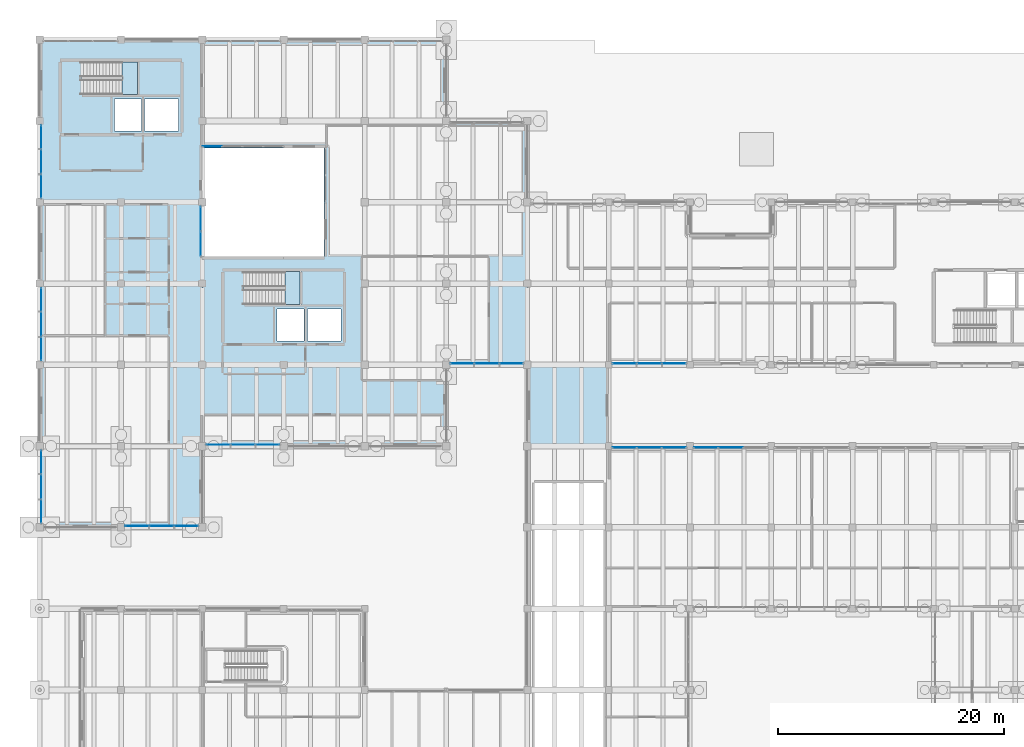
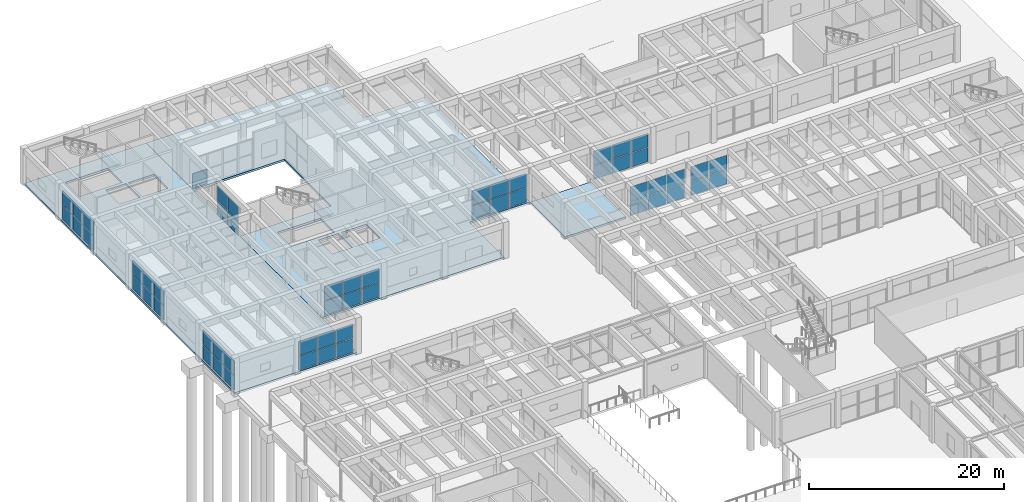
# One storey, part 113 of 155: 57 plates, 5 slabs, 13 elements without a shape of their own.
"""IFC4 building model written with IfcOpenShell, lengths in metres."""

from ifc_helpers import new_model, si_unit, direction, frame, origin, origin_2d, place, context, subcontext, project, spatial, polyline, rectangle, outline, extrude, material, layer, layer_set, type_object, element, aggregate, save


model = new_model("IFC4")

# Units and contexts
model_context = context("Model", 3, precision=1e-05, world=origin(), true_north=direction((0.0, 1.0)))
body_context = subcontext(model_context, "Body", "Model", "MODEL_VIEW")
ifc_project = project(units=[si_unit("LENGTHUNIT", "METRE"), si_unit("AREAUNIT", "SQUARE_METRE"), si_unit("VOLUMEUNIT", "CUBIC_METRE"), si_unit("PLANEANGLEUNIT", "RADIAN"), si_unit("MASSUNIT", "GRAM", prefix="KILO")], contexts=[model_context])

# Site, building, storey
site_placement = place(None, origin())
site = spatial("IfcSite", under=ifc_project, at=site_placement, CompositionType="ELEMENT")
building_placement = place(site_placement, origin())
building = spatial("IfcBuilding", under=site, at=building_placement, Name="Bramvelor Terrace Health Centre", CompositionType="ELEMENT")
storey_placement = place(building_placement, origin())
storey = spatial("IfcBuildingStorey", under=building, at=storey_placement, Name="L01", CompositionType="ELEMENT", Elevation=0.0)

# Curtain wall, plates
ifc_material_1 = material(Name="Anodized aluminium and double low-E glass", Category="aluminium")
curtain_wall_type_1 = type_object("IfcCurtainWallType", Name="CW-SYS-02", PredefinedType="NOTDEFINED", material=ifc_material_1)
curtain_wall_1_placement = place(storey_placement, origin())
curtain_wall_1 = element("IfcCurtainWall", 1, at=curtain_wall_1_placement, inside=storey, type_object=curtain_wall_type_1, Name="L01 Unitized Curtain Wall 12", PredefinedType="NOTDEFINED")
ifc_material_2 = material(Name="Double low-E laminated glass", Category="glass")
ifc_layer_1 = layer(ifc_material_2, 0.028076171875)
ifc_layer_set_1 = layer_set([ifc_layer_1], Name="Double low-E laminated glass")
plate_type = type_object("IfcPlateType", Name="CW-PNL-GLZ28", PredefinedType="CURTAIN_PANEL", material=ifc_layer_set_1)
plate_1_placement = place(storey_placement, frame((41.767822265625, 86.530029296875, 0.06494140625), z_axis=(0.0, 0.0, 1.0), x_axis=(-1.0, 0.0, 0.0)))
plate_1 = element("IfcPlate", 2, at=plate_1_placement, type_object=plate_type, Name="CW-02 panel 1.1", PredefinedType="CURTAIN_PANEL", context=body_context, shape_type="SweptSolid", body=[
    extrude(rectangle(XDim=2.07421875, YDim=0.028076171875, at=origin_2d()), origin(), (0.0, 0.0, 1.0), 1.762451171875),
])
plate_2_placement = place(storey_placement, frame((41.767822265625, 86.530029296875, 1.892578125), z_axis=(0.0, 0.0, 1.0), x_axis=(-1.0, 0.0, 0.0)))
plate_2 = element("IfcPlate", 3, at=plate_2_placement, type_object=plate_type, Name="CW-02 panel 1.2", PredefinedType="CURTAIN_PANEL", context=body_context, shape_type="SweptSolid", body=[
    extrude(rectangle(XDim=2.07421875, YDim=0.028076171875, at=origin_2d()), origin(), (0.0, 0.0, 1.0), 1.762451171875),
])
plate_3_placement = place(storey_placement, frame((39.60009765625, 86.530029296875, 0.06494140625), z_axis=(0.0, 0.0, 1.0), x_axis=(-1.0, 0.0, 0.0)))
plate_3 = element("IfcPlate", 4, at=plate_3_placement, type_object=plate_type, Name="CW-02 panel 2.1", PredefinedType="CURTAIN_PANEL", context=body_context, shape_type="SweptSolid", body=[
    extrude(rectangle(XDim=2.111572265625, YDim=0.028076171875, at=origin_2d()), origin(), (0.0, 0.0, 1.0), 1.762451171875),
])
plate_4_placement = place(storey_placement, frame((39.60009765625, 86.530029296875, 1.892578125), z_axis=(0.0, 0.0, 1.0), x_axis=(-1.0, 0.0, 0.0)))
plate_4 = element("IfcPlate", 5, at=plate_4_placement, type_object=plate_type, Name="CW-02 panel 2.2", PredefinedType="CURTAIN_PANEL", context=body_context, shape_type="SweptSolid", body=[
    extrude(rectangle(XDim=2.111572265625, YDim=0.028076171875, at=origin_2d()), origin(), (0.0, 0.0, 1.0), 1.762451171875),
])
plate_5_placement = place(storey_placement, frame((37.43212890625, 86.530029296875, 0.06494140625), z_axis=(0.0, 0.0, 1.0), x_axis=(-1.0, 0.0, 0.0)))
plate_5 = element("IfcPlate", 6, at=plate_5_placement, type_object=plate_type, Name="CW-02 panel 3.1", PredefinedType="CURTAIN_PANEL", context=body_context, shape_type="SweptSolid", body=[
    extrude(rectangle(XDim=2.07421875, YDim=0.028076171875, at=origin_2d()), origin(), (0.0, 0.0, 1.0), 1.762451171875),
])
plate_6_placement = place(storey_placement, frame((37.43212890625, 86.530029296875, 1.892578125), z_axis=(0.0, 0.0, 1.0), x_axis=(-1.0, 0.0, 0.0)))
plate_6 = element("IfcPlate", 7, at=plate_6_placement, type_object=plate_type, Name="CW-02 panel 3.2", PredefinedType="CURTAIN_PANEL", context=body_context, shape_type="SweptSolid", body=[
    extrude(rectangle(XDim=2.07421875, YDim=0.028076171875, at=origin_2d()), origin(), (0.0, 0.0, 1.0), 1.762451171875),
])
aggregate(curtain_wall_1, [plate_1, plate_2, plate_3, plate_4, plate_5, plate_6])

curtain_wall_2_placement = place(storey_placement, origin())
curtain_wall_2 = element("IfcCurtainWall", 8, at=curtain_wall_2_placement, inside=storey, type_object=curtain_wall_type_1, Name="L01 Unitized Curtain Wall 13", PredefinedType="NOTDEFINED")
plate_7_placement = place(storey_placement, frame((20.16796875, 79.330078125, 0.06494140625), z_axis=(0.0, 0.0, 1.0), x_axis=(-1.0, 0.0, 0.0)))
plate_7 = element("IfcPlate", 9, at=plate_7_placement, type_object=plate_type, Name="CW-02 panel 1.1", PredefinedType="CURTAIN_PANEL", context=body_context, shape_type="SweptSolid", body=[
    extrude(rectangle(XDim=2.07421875, YDim=0.028076171875, at=origin_2d()), origin(), (0.0, 0.0, 1.0), 1.762451171875),
])
plate_8_placement = place(storey_placement, frame((20.16796875, 79.330078125, 1.892578125), z_axis=(0.0, 0.0, 1.0), x_axis=(-1.0, 0.0, 0.0)))
plate_8 = element("IfcPlate", 10, at=plate_8_placement, type_object=plate_type, Name="CW-02 panel 1.2", PredefinedType="CURTAIN_PANEL", context=body_context, shape_type="SweptSolid", body=[
    extrude(rectangle(XDim=2.07421875, YDim=0.028076171875, at=origin_2d()), origin(), (0.0, 0.0, 1.0), 1.762451171875),
])
plate_9_placement = place(storey_placement, frame((18.0, 79.330078125, 0.06494140625), z_axis=(0.0, 0.0, 1.0), x_axis=(-1.0, 0.0, 0.0)))
plate_9 = element("IfcPlate", 11, at=plate_9_placement, type_object=plate_type, Name="CW-02 panel 2.1", PredefinedType="CURTAIN_PANEL", context=body_context, shape_type="SweptSolid", body=[
    extrude(rectangle(XDim=2.111572265625, YDim=0.028076171875, at=origin_2d()), origin(), (0.0, 0.0, 1.0), 1.762451171875),
])
plate_10_placement = place(storey_placement, frame((18.0, 79.330078125, 1.892578125), z_axis=(0.0, 0.0, 1.0), x_axis=(-1.0, 0.0, 0.0)))
plate_10 = element("IfcPlate", 12, at=plate_10_placement, type_object=plate_type, Name="CW-02 panel 2.2", PredefinedType="CURTAIN_PANEL", context=body_context, shape_type="SweptSolid", body=[
    extrude(rectangle(XDim=2.111572265625, YDim=0.028076171875, at=origin_2d()), origin(), (0.0, 0.0, 1.0), 1.762451171875),
])
plate_11_placement = place(storey_placement, frame((15.83203125, 79.330078125, 0.06494140625), z_axis=(0.0, 0.0, 1.0), x_axis=(-1.0, 0.0, 0.0)))
plate_11 = element("IfcPlate", 13, at=plate_11_placement, type_object=plate_type, Name="CW-02 panel 3.1", PredefinedType="CURTAIN_PANEL", context=body_context, shape_type="SweptSolid", body=[
    extrude(rectangle(XDim=2.07421875, YDim=0.028076171875, at=origin_2d()), origin(), (0.0, 0.0, 1.0), 1.762451171875),
])
plate_12_placement = place(storey_placement, frame((15.83203125, 79.330078125, 1.892578125), z_axis=(0.0, 0.0, 1.0), x_axis=(-1.0, 0.0, 0.0)))
plate_12 = element("IfcPlate", 14, at=plate_12_placement, type_object=plate_type, Name="CW-02 panel 3.2", PredefinedType="CURTAIN_PANEL", context=body_context, shape_type="SweptSolid", body=[
    extrude(rectangle(XDim=2.07421875, YDim=0.028076171875, at=origin_2d()), origin(), (0.0, 0.0, 1.0), 1.762451171875),
])
aggregate(curtain_wall_2, [plate_7, plate_8, plate_9, plate_10, plate_11, plate_12])

curtain_wall_3_placement = place(storey_placement, origin())
curtain_wall_3 = element("IfcCurtainWall", 15, at=curtain_wall_3_placement, inside=storey, type_object=curtain_wall_type_1, Name="L01 Unitized Curtain Wall 14", PredefinedType="NOTDEFINED")
plate_13_placement = place(storey_placement, frame((12.968017578125, 72.1298828125, 0.06494140625), z_axis=(0.0, 0.0, 1.0), x_axis=(-1.0, 0.0, 0.0)))
plate_13 = element("IfcPlate", 16, at=plate_13_placement, type_object=plate_type, Name="CW-02 panel 1.1", PredefinedType="CURTAIN_PANEL", context=body_context, shape_type="SweptSolid", body=[
    extrude(rectangle(XDim=2.07421875, YDim=0.028076171875, at=origin_2d()), origin(), (0.0, 0.0, 1.0), 1.762451171875),
])
plate_14_placement = place(storey_placement, frame((12.968017578125, 72.1298828125, 1.892578125), z_axis=(0.0, 0.0, 1.0), x_axis=(-1.0, 0.0, 0.0)))
plate_14 = element("IfcPlate", 17, at=plate_14_placement, type_object=plate_type, Name="CW-02 panel 1.2", PredefinedType="CURTAIN_PANEL", context=body_context, shape_type="SweptSolid", body=[
    extrude(rectangle(XDim=2.07421875, YDim=0.028076171875, at=origin_2d()), origin(), (0.0, 0.0, 1.0), 1.762451171875),
])
plate_15_placement = place(storey_placement, frame((10.800048828125, 72.1298828125, 0.06494140625), z_axis=(0.0, 0.0, 1.0), x_axis=(-1.0, 0.0, 0.0)))
plate_15 = element("IfcPlate", 18, at=plate_15_placement, type_object=plate_type, Name="CW-02 panel 2.1", PredefinedType="CURTAIN_PANEL", context=body_context, shape_type="SweptSolid", body=[
    extrude(rectangle(XDim=2.111572265625, YDim=0.028076171875, at=origin_2d()), origin(), (0.0, 0.0, 1.0), 1.762451171875),
])
plate_16_placement = place(storey_placement, frame((10.800048828125, 72.1298828125, 1.892578125), z_axis=(0.0, 0.0, 1.0), x_axis=(-1.0, 0.0, 0.0)))
plate_16 = element("IfcPlate", 19, at=plate_16_placement, type_object=plate_type, Name="CW-02 panel 2.2", PredefinedType="CURTAIN_PANEL", context=body_context, shape_type="SweptSolid", body=[
    extrude(rectangle(XDim=2.111572265625, YDim=0.028076171875, at=origin_2d()), origin(), (0.0, 0.0, 1.0), 1.762451171875),
])
plate_17_placement = place(storey_placement, frame((8.632080078125, 72.1298828125, 0.06494140625), z_axis=(0.0, 0.0, 1.0), x_axis=(-1.0, 0.0, 0.0)))
plate_17 = element("IfcPlate", 20, at=plate_17_placement, type_object=plate_type, Name="CW-02 panel 3.1", PredefinedType="CURTAIN_PANEL", context=body_context, shape_type="SweptSolid", body=[
    extrude(rectangle(XDim=2.07421875, YDim=0.028076171875, at=origin_2d()), origin(), (0.0, 0.0, 1.0), 1.762451171875),
])
plate_18_placement = place(storey_placement, frame((8.632080078125, 72.1298828125, 1.892578125), z_axis=(0.0, 0.0, 1.0), x_axis=(-1.0, 0.0, 0.0)))
plate_18 = element("IfcPlate", 21, at=plate_18_placement, type_object=plate_type, Name="CW-02 panel 3.2", PredefinedType="CURTAIN_PANEL", context=body_context, shape_type="SweptSolid", body=[
    extrude(rectangle(XDim=2.07421875, YDim=0.028076171875, at=origin_2d()), origin(), (0.0, 0.0, 1.0), 1.762451171875),
])
aggregate(curtain_wall_3, [plate_13, plate_14, plate_15, plate_16, plate_17, plate_18])

curtain_wall_4_placement = place(storey_placement, origin())
curtain_wall_4 = element("IfcCurtainWall", 22, at=curtain_wall_4_placement, inside=storey, type_object=curtain_wall_type_1, Name="L01 Unitized Curtain Wall 15", PredefinedType="NOTDEFINED")
plate_19_placement = place(storey_placement, frame((0.1298828125, 73.43212890625, 0.06494140625), z_axis=(0.0, 0.0, 1.0), x_axis=(0.0, 1.0, 0.0)))
plate_19 = element("IfcPlate", 23, at=plate_19_placement, type_object=plate_type, Name="CW-02 panel 1.1", PredefinedType="CURTAIN_PANEL", context=body_context, shape_type="SweptSolid", body=[
    extrude(rectangle(XDim=2.07421875, YDim=0.028076171875, at=origin_2d()), origin(), (0.0, 0.0, 1.0), 1.762451171875),
])
plate_20_placement = place(storey_placement, frame((0.1298828125, 73.43212890625, 1.892578125), z_axis=(0.0, 0.0, 1.0), x_axis=(0.0, 1.0, 0.0)))
plate_20 = element("IfcPlate", 24, at=plate_20_placement, type_object=plate_type, Name="CW-02 panel 1.2", PredefinedType="CURTAIN_PANEL", context=body_context, shape_type="SweptSolid", body=[
    extrude(rectangle(XDim=2.07421875, YDim=0.028076171875, at=origin_2d()), origin(), (0.0, 0.0, 1.0), 1.762451171875),
])
plate_21_placement = place(storey_placement, frame((0.1298828125, 75.60009765625, 0.06494140625), z_axis=(0.0, 0.0, 1.0), x_axis=(0.0, 1.0, 0.0)))
plate_21 = element("IfcPlate", 25, at=plate_21_placement, type_object=plate_type, Name="CW-02 panel 2.1", PredefinedType="CURTAIN_PANEL", context=body_context, shape_type="SweptSolid", body=[
    extrude(rectangle(XDim=2.111572265625, YDim=0.028076171875, at=origin_2d()), origin(), (0.0, 0.0, 1.0), 1.762451171875),
])
plate_22_placement = place(storey_placement, frame((0.1298828125, 75.60009765625, 1.892578125), z_axis=(0.0, 0.0, 1.0), x_axis=(0.0, 1.0, 0.0)))
plate_22 = element("IfcPlate", 26, at=plate_22_placement, type_object=plate_type, Name="CW-02 panel 2.2", PredefinedType="CURTAIN_PANEL", context=body_context, shape_type="SweptSolid", body=[
    extrude(rectangle(XDim=2.111572265625, YDim=0.028076171875, at=origin_2d()), origin(), (0.0, 0.0, 1.0), 1.762451171875),
])
plate_23_placement = place(storey_placement, frame((0.1298828125, 77.767822265625, 0.06494140625), z_axis=(0.0, 0.0, 1.0), x_axis=(0.0, 1.0, 0.0)))
plate_23 = element("IfcPlate", 27, at=plate_23_placement, type_object=plate_type, Name="CW-02 panel 3.1", PredefinedType="CURTAIN_PANEL", context=body_context, shape_type="SweptSolid", body=[
    extrude(rectangle(XDim=2.07421875, YDim=0.028076171875, at=origin_2d()), origin(), (0.0, 0.0, 1.0), 1.762451171875),
])
plate_24_placement = place(storey_placement, frame((0.1298828125, 77.767822265625, 1.892578125), z_axis=(0.0, 0.0, 1.0), x_axis=(0.0, 1.0, 0.0)))
plate_24 = element("IfcPlate", 28, at=plate_24_placement, type_object=plate_type, Name="CW-02 panel 3.2", PredefinedType="CURTAIN_PANEL", context=body_context, shape_type="SweptSolid", body=[
    extrude(rectangle(XDim=2.07421875, YDim=0.028076171875, at=origin_2d()), origin(), (0.0, 0.0, 1.0), 1.762451171875),
])
aggregate(curtain_wall_4, [plate_19, plate_20, plate_21, plate_22, plate_23, plate_24])

curtain_wall_5_placement = place(storey_placement, origin())
curtain_wall_5 = element("IfcCurtainWall", 29, at=curtain_wall_5_placement, inside=storey, type_object=curtain_wall_type_1, Name="L01 Unitized Curtain Wall 16", PredefinedType="NOTDEFINED")
plate_25_placement = place(storey_placement, frame((0.1298828125, 87.83203125, 0.06494140625), z_axis=(0.0, 0.0, 1.0), x_axis=(0.0, 1.0, 0.0)))
plate_25 = element("IfcPlate", 30, at=plate_25_placement, type_object=plate_type, Name="CW-02 panel 1.1", PredefinedType="CURTAIN_PANEL", context=body_context, shape_type="SweptSolid", body=[
    extrude(rectangle(XDim=2.07421875, YDim=0.028076171875, at=origin_2d()), origin(), (0.0, 0.0, 1.0), 1.762451171875),
])
plate_26_placement = place(storey_placement, frame((0.1298828125, 87.83203125, 1.892578125), z_axis=(0.0, 0.0, 1.0), x_axis=(0.0, 1.0, 0.0)))
plate_26 = element("IfcPlate", 31, at=plate_26_placement, type_object=plate_type, Name="CW-02 panel 1.2", PredefinedType="CURTAIN_PANEL", context=body_context, shape_type="SweptSolid", body=[
    extrude(rectangle(XDim=2.07421875, YDim=0.028076171875, at=origin_2d()), origin(), (0.0, 0.0, 1.0), 1.762451171875),
])
plate_27_placement = place(storey_placement, frame((0.1298828125, 90.0, 0.06494140625), z_axis=(0.0, 0.0, 1.0), x_axis=(0.0, 1.0, 0.0)))
plate_27 = element("IfcPlate", 32, at=plate_27_placement, type_object=plate_type, Name="CW-02 panel 2.1", PredefinedType="CURTAIN_PANEL", context=body_context, shape_type="SweptSolid", body=[
    extrude(rectangle(XDim=2.111572265625, YDim=0.028076171875, at=origin_2d()), origin(), (0.0, 0.0, 1.0), 1.762451171875),
])
plate_28_placement = place(storey_placement, frame((0.1298828125, 90.0, 1.892578125), z_axis=(0.0, 0.0, 1.0), x_axis=(0.0, 1.0, 0.0)))
plate_28 = element("IfcPlate", 33, at=plate_28_placement, type_object=plate_type, Name="CW-02 panel 2.2", PredefinedType="CURTAIN_PANEL", context=body_context, shape_type="SweptSolid", body=[
    extrude(rectangle(XDim=2.111572265625, YDim=0.028076171875, at=origin_2d()), origin(), (0.0, 0.0, 1.0), 1.762451171875),
])
plate_29_placement = place(storey_placement, frame((0.1298828125, 92.16796875, 0.06494140625), z_axis=(0.0, 0.0, 1.0), x_axis=(0.0, 1.0, 0.0)))
plate_29 = element("IfcPlate", 34, at=plate_29_placement, type_object=plate_type, Name="CW-02 panel 3.1", PredefinedType="CURTAIN_PANEL", context=body_context, shape_type="SweptSolid", body=[
    extrude(rectangle(XDim=2.07421875, YDim=0.028076171875, at=origin_2d()), origin(), (0.0, 0.0, 1.0), 1.762451171875),
])
plate_30_placement = place(storey_placement, frame((0.1298828125, 92.16796875, 1.892578125), z_axis=(0.0, 0.0, 1.0), x_axis=(0.0, 1.0, 0.0)))
plate_30 = element("IfcPlate", 35, at=plate_30_placement, type_object=plate_type, Name="CW-02 panel 3.2", PredefinedType="CURTAIN_PANEL", context=body_context, shape_type="SweptSolid", body=[
    extrude(rectangle(XDim=2.07421875, YDim=0.028076171875, at=origin_2d()), origin(), (0.0, 0.0, 1.0), 1.762451171875),
])
aggregate(curtain_wall_5, [plate_25, plate_26, plate_27, plate_28, plate_29, plate_30])

curtain_wall_6_placement = place(storey_placement, origin())
curtain_wall_6 = element("IfcCurtainWall", 36, at=curtain_wall_6_placement, inside=storey, type_object=curtain_wall_type_1, Name="L01 Unitized Curtain Wall 17", PredefinedType="NOTDEFINED")
plate_31_placement = place(storey_placement, frame((0.1298828125, 102.232177734375, 0.06494140625), z_axis=(0.0, 0.0, 1.0), x_axis=(0.0, 1.0, 0.0)))
plate_31 = element("IfcPlate", 37, at=plate_31_placement, type_object=plate_type, Name="CW-02 panel 1.1", PredefinedType="CURTAIN_PANEL", context=body_context, shape_type="SweptSolid", body=[
    extrude(rectangle(XDim=2.07421875, YDim=0.028076171875, at=origin_2d()), origin(), (0.0, 0.0, 1.0), 1.762451171875),
])
plate_32_placement = place(storey_placement, frame((0.1298828125, 102.232177734375, 1.892578125), z_axis=(0.0, 0.0, 1.0), x_axis=(0.0, 1.0, 0.0)))
plate_32 = element("IfcPlate", 38, at=plate_32_placement, type_object=plate_type, Name="CW-02 panel 1.2", PredefinedType="CURTAIN_PANEL", context=body_context, shape_type="SweptSolid", body=[
    extrude(rectangle(XDim=2.07421875, YDim=0.028076171875, at=origin_2d()), origin(), (0.0, 0.0, 1.0), 1.762451171875),
])
plate_33_placement = place(storey_placement, frame((0.1298828125, 104.39990234375, 0.06494140625), z_axis=(0.0, 0.0, 1.0), x_axis=(0.0, 1.0, 0.0)))
plate_33 = element("IfcPlate", 39, at=plate_33_placement, type_object=plate_type, Name="CW-02 panel 2.1", PredefinedType="CURTAIN_PANEL", context=body_context, shape_type="SweptSolid", body=[
    extrude(rectangle(XDim=2.111572265625, YDim=0.028076171875, at=origin_2d()), origin(), (0.0, 0.0, 1.0), 1.762451171875),
])
plate_34_placement = place(storey_placement, frame((0.1298828125, 104.39990234375, 1.892578125), z_axis=(0.0, 0.0, 1.0), x_axis=(0.0, 1.0, 0.0)))
plate_34 = element("IfcPlate", 40, at=plate_34_placement, type_object=plate_type, Name="CW-02 panel 2.2", PredefinedType="CURTAIN_PANEL", context=body_context, shape_type="SweptSolid", body=[
    extrude(rectangle(XDim=2.111572265625, YDim=0.028076171875, at=origin_2d()), origin(), (0.0, 0.0, 1.0), 1.762451171875),
])
plate_35_placement = place(storey_placement, frame((0.1298828125, 106.56787109375, 0.06494140625), z_axis=(0.0, 0.0, 1.0), x_axis=(0.0, 1.0, 0.0)))
plate_35 = element("IfcPlate", 41, at=plate_35_placement, type_object=plate_type, Name="CW-02 panel 3.1", PredefinedType="CURTAIN_PANEL", context=body_context, shape_type="SweptSolid", body=[
    extrude(rectangle(XDim=2.07421875, YDim=0.028076171875, at=origin_2d()), origin(), (0.0, 0.0, 1.0), 1.762451171875),
])
plate_36_placement = place(storey_placement, frame((0.1298828125, 106.56787109375, 1.892578125), z_axis=(0.0, 0.0, 1.0), x_axis=(0.0, 1.0, 0.0)))
plate_36 = element("IfcPlate", 42, at=plate_36_placement, type_object=plate_type, Name="CW-02 panel 3.2", PredefinedType="CURTAIN_PANEL", context=body_context, shape_type="SweptSolid", body=[
    extrude(rectangle(XDim=2.07421875, YDim=0.028076171875, at=origin_2d()), origin(), (0.0, 0.0, 1.0), 1.762451171875),
])
aggregate(curtain_wall_6, [plate_31, plate_32, plate_33, plate_34, plate_35, plate_36])

curtain_wall_7_placement = place(storey_placement, origin())
curtain_wall_7 = element("IfcCurtainWall", 43, at=curtain_wall_7_placement, inside=storey, type_object=curtain_wall_type_1, Name="L01 Unitized Curtain Wall 28", PredefinedType="NOTDEFINED")
plate_37_placement = place(storey_placement, frame((56.1845703125, 86.530029296875, 0.06494140625), z_axis=(0.0, 0.0, 1.0), x_axis=(-1.0, 0.0, 0.0)))
plate_37 = element("IfcPlate", 44, at=plate_37_placement, type_object=plate_type, Name="CW-02 panel 1.1", PredefinedType="CURTAIN_PANEL", context=body_context, shape_type="SweptSolid", body=[
    extrude(rectangle(XDim=2.0908203125, YDim=0.028076171875, at=origin_2d()), origin(), (0.0, 0.0, 1.0), 1.74755859375),
])
plate_38_placement = place(storey_placement, frame((56.1845703125, 86.530029296875, 1.87744140625), z_axis=(0.0, 0.0, 1.0), x_axis=(-1.0, 0.0, 0.0)))
plate_38 = element("IfcPlate", 45, at=plate_38_placement, type_object=plate_type, Name="CW-02 panel 1.2", PredefinedType="CURTAIN_PANEL", context=body_context, shape_type="SweptSolid", body=[
    extrude(rectangle(XDim=2.0908203125, YDim=0.028076171875, at=origin_2d()), origin(), (0.0, 0.0, 1.0), 1.74755859375),
])
plate_39_placement = place(storey_placement, frame((54.0, 86.530029296875, 0.06494140625), z_axis=(0.0, 0.0, 1.0), x_axis=(-1.0, 0.0, 0.0)))
plate_39 = element("IfcPlate", 46, at=plate_39_placement, type_object=plate_type, Name="CW-02 panel 2.1", PredefinedType="CURTAIN_PANEL", context=body_context, shape_type="SweptSolid", body=[
    extrude(rectangle(XDim=2.12841796875, YDim=0.028076171875, at=origin_2d()), origin(), (0.0, 0.0, 1.0), 1.74755859375),
])
plate_40_placement = place(storey_placement, frame((54.0, 86.530029296875, 1.87744140625), z_axis=(0.0, 0.0, 1.0), x_axis=(-1.0, 0.0, 0.0)))
plate_40 = element("IfcPlate", 47, at=plate_40_placement, type_object=plate_type, Name="CW-02 panel 2.2", PredefinedType="CURTAIN_PANEL", context=body_context, shape_type="SweptSolid", body=[
    extrude(rectangle(XDim=2.12841796875, YDim=0.028076171875, at=origin_2d()), origin(), (0.0, 0.0, 1.0), 1.74755859375),
])
plate_41_placement = place(storey_placement, frame((51.8154296875, 86.530029296875, 0.06494140625), z_axis=(0.0, 0.0, 1.0), x_axis=(-1.0, 0.0, 0.0)))
plate_41 = element("IfcPlate", 48, at=plate_41_placement, type_object=plate_type, Name="CW-02 panel 3.1", PredefinedType="CURTAIN_PANEL", context=body_context, shape_type="SweptSolid", body=[
    extrude(rectangle(XDim=2.0908203125, YDim=0.028076171875, at=origin_2d()), origin(), (0.0, 0.0, 1.0), 1.74755859375),
])
plate_42_placement = place(storey_placement, frame((51.8154296875, 86.530029296875, 1.87744140625), z_axis=(0.0, 0.0, 1.0), x_axis=(-1.0, 0.0, 0.0)))
plate_42 = element("IfcPlate", 49, at=plate_42_placement, type_object=plate_type, Name="CW-02 panel 3.2", PredefinedType="CURTAIN_PANEL", context=body_context, shape_type="SweptSolid", body=[
    extrude(rectangle(XDim=2.0908203125, YDim=0.028076171875, at=origin_2d()), origin(), (0.0, 0.0, 1.0), 1.74755859375),
])
aggregate(curtain_wall_7, [plate_37, plate_38, plate_39, plate_40, plate_41, plate_42])

curtain_wall_8_placement = place(storey_placement, origin())
curtain_wall_8 = element("IfcCurtainWall", 50, at=curtain_wall_8_placement, inside=storey, type_object=curtain_wall_type_1, Name="L01 Unitized Curtain Wall 29", PredefinedType="NOTDEFINED")
plate_43_placement = place(storey_placement, frame((51.8154296875, 79.070068359375, 0.06494140625), z_axis=(0.0, 0.0, 1.0), x_axis=(1.0, 0.0, 0.0)))
plate_43 = element("IfcPlate", 51, at=plate_43_placement, type_object=plate_type, Name="CW-02 panel 1.1", PredefinedType="CURTAIN_PANEL", context=body_context, shape_type="SweptSolid", body=[
    extrude(rectangle(XDim=2.0908203125, YDim=0.028076171875, at=origin_2d()), origin(), (0.0, 0.0, 1.0), 1.762451171875),
])
plate_44_placement = place(storey_placement, frame((51.8154296875, 79.070068359375, 1.892578125), z_axis=(0.0, 0.0, 1.0), x_axis=(1.0, 0.0, 0.0)))
plate_44 = element("IfcPlate", 52, at=plate_44_placement, type_object=plate_type, Name="CW-02 panel 1.2", PredefinedType="CURTAIN_PANEL", context=body_context, shape_type="SweptSolid", body=[
    extrude(rectangle(XDim=2.0908203125, YDim=0.028076171875, at=origin_2d()), origin(), (0.0, 0.0, 1.0), 1.762451171875),
])
plate_45_placement = place(storey_placement, frame((54.0, 79.070068359375, 0.06494140625), z_axis=(0.0, 0.0, 1.0), x_axis=(1.0, 0.0, 0.0)))
plate_45 = element("IfcPlate", 53, at=plate_45_placement, type_object=plate_type, Name="CW-02 panel 2.1", PredefinedType="CURTAIN_PANEL", context=body_context, shape_type="SweptSolid", body=[
    extrude(rectangle(XDim=2.12841796875, YDim=0.028076171875, at=origin_2d()), origin(), (0.0, 0.0, 1.0), 1.762451171875),
])
plate_46_placement = place(storey_placement, frame((54.0, 79.070068359375, 1.892578125), z_axis=(0.0, 0.0, 1.0), x_axis=(1.0, 0.0, 0.0)))
plate_46 = element("IfcPlate", 54, at=plate_46_placement, type_object=plate_type, Name="CW-02 panel 2.2", PredefinedType="CURTAIN_PANEL", context=body_context, shape_type="SweptSolid", body=[
    extrude(rectangle(XDim=2.12841796875, YDim=0.028076171875, at=origin_2d()), origin(), (0.0, 0.0, 1.0), 1.762451171875),
])
plate_47_placement = place(storey_placement, frame((56.1845703125, 79.070068359375, 0.06494140625), z_axis=(0.0, 0.0, 1.0), x_axis=(1.0, 0.0, 0.0)))
plate_47 = element("IfcPlate", 55, at=plate_47_placement, type_object=plate_type, Name="CW-02 panel 3.1", PredefinedType="CURTAIN_PANEL", context=body_context, shape_type="SweptSolid", body=[
    extrude(rectangle(XDim=2.0908203125, YDim=0.028076171875, at=origin_2d()), origin(), (0.0, 0.0, 1.0), 1.762451171875),
])
plate_48_placement = place(storey_placement, frame((56.1845703125, 79.070068359375, 1.892578125), z_axis=(0.0, 0.0, 1.0), x_axis=(1.0, 0.0, 0.0)))
plate_48 = element("IfcPlate", 56, at=plate_48_placement, type_object=plate_type, Name="CW-02 panel 3.2", PredefinedType="CURTAIN_PANEL", context=body_context, shape_type="SweptSolid", body=[
    extrude(rectangle(XDim=2.0908203125, YDim=0.028076171875, at=origin_2d()), origin(), (0.0, 0.0, 1.0), 1.762451171875),
])
aggregate(curtain_wall_8, [plate_43, plate_44, plate_45, plate_46, plate_47, plate_48])

curtain_wall_9_placement = place(storey_placement, origin())
curtain_wall_9 = element("IfcCurtainWall", 57, at=curtain_wall_9_placement, inside=storey, type_object=curtain_wall_type_1, Name="L01 Unitized Curtain Wall 30", PredefinedType="NOTDEFINED")
plate_49_placement = place(storey_placement, frame((59.015380859375, 79.070068359375, 0.06494140625), z_axis=(0.0, 0.0, 1.0), x_axis=(1.0, 0.0, 0.0)))
plate_49 = element("IfcPlate", 58, at=plate_49_placement, type_object=plate_type, Name="CW-02 panel 1.1", PredefinedType="CURTAIN_PANEL", context=body_context, shape_type="SweptSolid", body=[
    extrude(rectangle(XDim=2.0908203125, YDim=0.028076171875, at=origin_2d()), origin(), (0.0, 0.0, 1.0), 1.762451171875),
])
plate_50_placement = place(storey_placement, frame((59.015380859375, 79.070068359375, 1.892578125), z_axis=(0.0, 0.0, 1.0), x_axis=(1.0, 0.0, 0.0)))
plate_50 = element("IfcPlate", 59, at=plate_50_placement, type_object=plate_type, Name="CW-02 panel 1.2", PredefinedType="CURTAIN_PANEL", context=body_context, shape_type="SweptSolid", body=[
    extrude(rectangle(XDim=2.0908203125, YDim=0.028076171875, at=origin_2d()), origin(), (0.0, 0.0, 1.0), 1.762451171875),
])
plate_51_placement = place(storey_placement, frame((61.199951171875, 79.070068359375, 0.06494140625), z_axis=(0.0, 0.0, 1.0), x_axis=(1.0, 0.0, 0.0)))
plate_51 = element("IfcPlate", 60, at=plate_51_placement, type_object=plate_type, Name="CW-02 panel 2.1", PredefinedType="CURTAIN_PANEL", context=body_context, shape_type="SweptSolid", body=[
    extrude(rectangle(XDim=2.12841796875, YDim=0.028076171875, at=origin_2d()), origin(), (0.0, 0.0, 1.0), 1.762451171875),
])
plate_52_placement = place(storey_placement, frame((61.199951171875, 79.070068359375, 1.892578125), z_axis=(0.0, 0.0, 1.0), x_axis=(1.0, 0.0, 0.0)))
plate_52 = element("IfcPlate", 61, at=plate_52_placement, type_object=plate_type, Name="CW-02 panel 2.2", PredefinedType="CURTAIN_PANEL", context=body_context, shape_type="SweptSolid", body=[
    extrude(rectangle(XDim=2.12841796875, YDim=0.028076171875, at=origin_2d()), origin(), (0.0, 0.0, 1.0), 1.762451171875),
])
aggregate(curtain_wall_9, [plate_49, plate_50, plate_51, plate_52])

# Curtain wall, plate
ifc_material_3 = material(Name="Anodized aluminium and double low-E glass", Category="aluminium")
curtain_wall_type_2 = type_object("IfcCurtainWallType", Name="CW-SYS-10", PredefinedType="NOTDEFINED", material=ifc_material_3)
curtain_wall_10_placement = place(storey_placement, origin())
curtain_wall_10 = element("IfcCurtainWall", 62, at=curtain_wall_10_placement, inside=storey, type_object=curtain_wall_type_2, Name="L01 Unitized Curtain Wall 68", PredefinedType="NOTDEFINED")
plate_53_placement = place(storey_placement, frame((15.28369140625, 105.72998046875, 0.06494140625), z_axis=(0.0, 0.0, 1.0), x_axis=(-1.0, 0.0, 0.0)))
plate_53 = element("IfcPlate", 63, at=plate_53_placement, type_object=plate_type, Name="CW-10 panel 4.1", PredefinedType="CURTAIN_PANEL", context=body_context, shape_type="SweptSolid", body=[
    extrude(rectangle(XDim=1.697509765625, YDim=0.028076171875, at=origin_2d()), origin(), (0.0, 0.0, 1.0), 1.8125),
])
aggregate(curtain_wall_10, [plate_53])

# Curtain wall, plates
ifc_material_4 = material(Name="Anodized aluminium and double low-E glass", Category="aluminium")
curtain_wall_type_3 = type_object("IfcCurtainWallType", Name="CW-SYS-11", PredefinedType="NOTDEFINED", material=ifc_material_4)
curtain_wall_11_placement = place(storey_placement, origin())
curtain_wall_11 = element("IfcCurtainWall", 64, at=curtain_wall_11_placement, inside=storey, type_object=curtain_wall_type_3, Name="L01 Unitized Curtain Wall 69", PredefinedType="NOTDEFINED")
plate_54_placement = place(storey_placement, frame((14.27001953125, 99.336181640625, 0.06494140625), z_axis=(0.0, 0.0, 1.0), x_axis=(0.0, -1.0, 0.0)))
plate_54 = element("IfcPlate", 65, at=plate_54_placement, type_object=plate_type, Name="CW-11 panel 1.1", PredefinedType="CURTAIN_PANEL", context=body_context, shape_type="SweptSolid", body=[
    extrude(rectangle(XDim=2.137451171875, YDim=0.028076171875, at=origin_2d()), origin(), (0.0, 0.0, 1.0), 1.762451171875),
])
plate_55_placement = place(storey_placement, frame((14.27001953125, 99.336181640625, 1.892578125), z_axis=(0.0, 0.0, 1.0), x_axis=(0.0, -1.0, 0.0)))
plate_55 = element("IfcPlate", 66, at=plate_55_placement, type_object=plate_type, Name="CW-11 panel 1.2", PredefinedType="CURTAIN_PANEL", context=body_context, shape_type="SweptSolid", body=[
    extrude(rectangle(XDim=2.137451171875, YDim=0.028076171875, at=origin_2d()), origin(), (0.0, 0.0, 1.0), 1.762451171875),
])
plate_56_placement = place(storey_placement, frame((14.27001953125, 97.123779296875, 0.06494140625), z_axis=(0.0, 0.0, 1.0), x_axis=(0.0, -1.0, 0.0)))
plate_56 = element("IfcPlate", 67, at=plate_56_placement, type_object=plate_type, Name="CW-11 panel 2.1", PredefinedType="CURTAIN_PANEL", context=body_context, shape_type="SweptSolid", body=[
    extrude(rectangle(XDim=2.137451171875, YDim=0.028076171875, at=origin_2d()), origin(), (0.0, 0.0, 1.0), 1.762451171875),
])
plate_57_placement = place(storey_placement, frame((14.27001953125, 97.123779296875, 1.892578125), z_axis=(0.0, 0.0, 1.0), x_axis=(0.0, -1.0, 0.0)))
plate_57 = element("IfcPlate", 68, at=plate_57_placement, type_object=plate_type, Name="CW-11 panel 2.2", PredefinedType="CURTAIN_PANEL", context=body_context, shape_type="SweptSolid", body=[
    extrude(rectangle(XDim=2.137451171875, YDim=0.028076171875, at=origin_2d()), origin(), (0.0, 0.0, 1.0), 1.762451171875),
])
aggregate(curtain_wall_11, [plate_54, plate_55, plate_56, plate_57])

# Slabs
ifc_material_5 = material(Name="Concrete C40/50", Category="concrete")
ifc_layer_2 = layer(ifc_material_5, 0.25)
ifc_layer_set_2 = layer_set([ifc_layer_2], Name="Concrete C40/50")
slab_type_1 = type_object("IfcSlabType", Name="SLB-FLR-RC250", PredefinedType="FLOOR", material=ifc_layer_set_2)
slab_1_placement = place(storey_placement, frame((0.0, 0.0, -0.25)))
element("IfcSlab", 69, at=slab_1_placement, inside=storey, type_object=slab_type_1, Name="L01 LK_V1_V5 Floor Slab", PredefinedType="FLOOR", context=body_context, shape_type="SweptSolid", body=[
    extrude(outline(polyline([(50.39990234375, 79.199951171875), (50.39990234375, 86.39990234375), (43.199951171875, 86.39990234375), (43.199951171875, 79.199951171875), (50.39990234375, 79.199951171875)])), origin(), (0.0, 0.0, 1.0), 0.25),
])
slab_2_placement = place(storey_placement, frame((0.0, 0.0, -0.25)))
element("IfcSlab", 70, at=slab_2_placement, inside=storey, type_object=slab_type_1, Name="L01 V4_E Floor Slab", PredefinedType="FLOOR", context=body_context, shape_type="SweptSolid", body=[
    extrude(outline(polyline([(36.0, 79.199951171875), (14.39990234375, 79.199951171875), (14.39990234375, 96.0), (25.199951171875, 96.0), (25.199951171875, 105.60009765625), (14.39990234375, 105.60009765625), (14.39990234375, 115.199951171875), (36.0, 115.199951171875), (36.0, 108.0), (43.199951171875, 108.0), (43.199951171875, 86.39990234375), (36.0, 86.39990234375), (36.0, 79.199951171875)]), holes=[polyline([(18.080078125, 91.75), (23.14990234375, 91.75), (23.14990234375, 94.64990234375), (18.080078125, 94.64990234375), (18.080078125, 91.75)]), polyline([(21.0, 91.35009765625), (21.0, 88.5), (23.39990234375, 88.5), (23.39990234375, 91.35009765625), (21.0, 91.35009765625)]), polyline([(26.699951171875, 91.35009765625), (23.699951171875, 91.35009765625), (23.699951171875, 88.5), (26.699951171875, 88.5), (26.699951171875, 91.35009765625)])]), origin(), (0.0, 0.0, 1.0), 0.25),
])
slab_3_placement = place(storey_placement, frame((0.0, 0.0, -0.25)))
element("IfcSlab", 71, at=slab_3_placement, inside=storey, type_object=slab_type_1, Name="L01 V4_W Floor Slab", PredefinedType="FLOOR", context=body_context, shape_type="SweptSolid", body=[
    extrude(outline(polyline([(0.0, 115.199951171875), (14.39990234375, 115.199951171875), (14.39990234375, 105.60009765625), (14.39990234375, 96.0), (14.39990234375, 79.199951171875), (14.39990234375, 72.0), (0.0, 72.0), (0.0, 79.199951171875), (0.0, 115.199951171875)]), holes=[polyline([(3.679931640625, 110.35009765625), (8.75, 110.35009765625), (8.75, 113.25), (3.679931640625, 113.25), (3.679931640625, 110.35009765625)]), polyline([(6.60009765625, 109.949951171875), (6.60009765625, 107.10009765625), (9.0, 107.10009765625), (9.0, 109.949951171875), (6.60009765625, 109.949951171875)]), polyline([(12.300048828125, 109.949951171875), (9.300048828125, 109.949951171875), (9.300048828125, 107.10009765625), (12.300048828125, 107.10009765625), (12.300048828125, 109.949951171875)])]), origin(), (0.0, 0.0, 1.0), 0.25),
])

# Stair, slab
ifc_material_6 = material(Name="Concrete C40/50", Category="concrete")
stair_type = type_object("IfcStairType", Name="STR-CORE", PredefinedType="HALF_TURN_STAIR", material=ifc_material_6)
stair_1_placement = place(storey_placement, origin())
stair_1 = element("IfcStair", 72, at=stair_1_placement, inside=storey, type_object=stair_type, Name="L01 C1 Primary Fire Stair", PredefinedType="HALF_TURN_STAIR")
ifc_material_7 = material(Name="Concrete C40/50", Category="concrete")
ifc_layer_3 = layer(ifc_material_7, 0.199951171875)
ifc_layer_set_3 = layer_set([ifc_layer_3], Name="Concrete C40/50")
slab_type_2 = type_object("IfcSlabType", Name="SLB-LND-200", PredefinedType="LANDING", material=ifc_layer_set_3)
slab_4_placement = place(storey_placement, frame((0.0, 0.0, 2.199951171875)))
slab_4 = element("IfcSlab", 73, at=slab_4_placement, type_object=slab_type_2, Name="ST-1 landing 1", PredefinedType="LANDING", context=body_context, shape_type="SweptSolid", body=[
    extrude(outline(polyline([(7.304931640625, 110.35009765625), (8.655029296875, 110.35009765625), (8.655029296875, 113.25), (7.304931640625, 113.25), (7.304931640625, 110.35009765625)])), origin(), (0.0, 0.0, 1.0), 0.199951171875),
])
aggregate(stair_1, [slab_4])

stair_2_placement = place(storey_placement, origin())
stair_2 = element("IfcStair", 74, at=stair_2_placement, inside=storey, type_object=stair_type, Name="L01 C2 Primary Fire Stair", PredefinedType="HALF_TURN_STAIR")
slab_5_placement = place(storey_placement, frame((0.0, 0.0, 2.199951171875)))
slab_5 = element("IfcSlab", 75, at=slab_5_placement, type_object=slab_type_2, Name="ST-2 landing 1", PredefinedType="LANDING", context=body_context, shape_type="SweptSolid", body=[
    extrude(outline(polyline([(21.705078125, 91.75), (23.054931640625, 91.75), (23.054931640625, 94.64990234375), (21.705078125, 94.64990234375), (21.705078125, 91.75)])), origin(), (0.0, 0.0, 1.0), 0.199951171875),
])
aggregate(stair_2, [slab_5])

save(model, "model.ifc")
